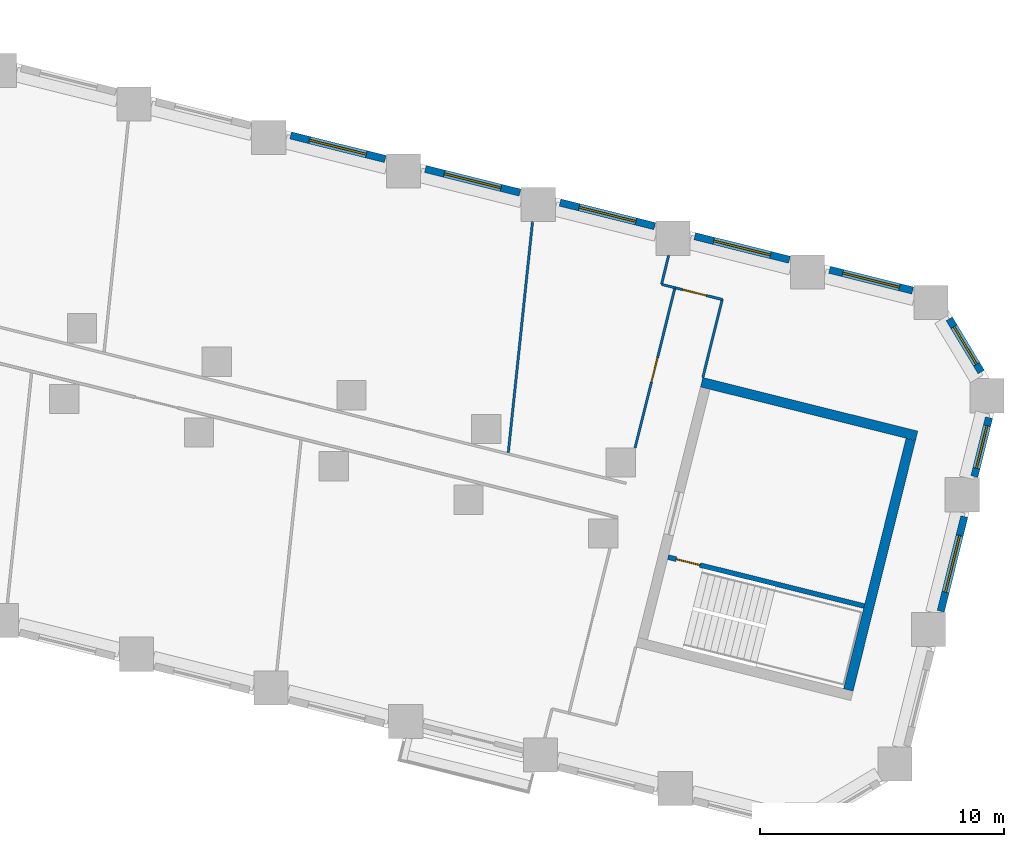
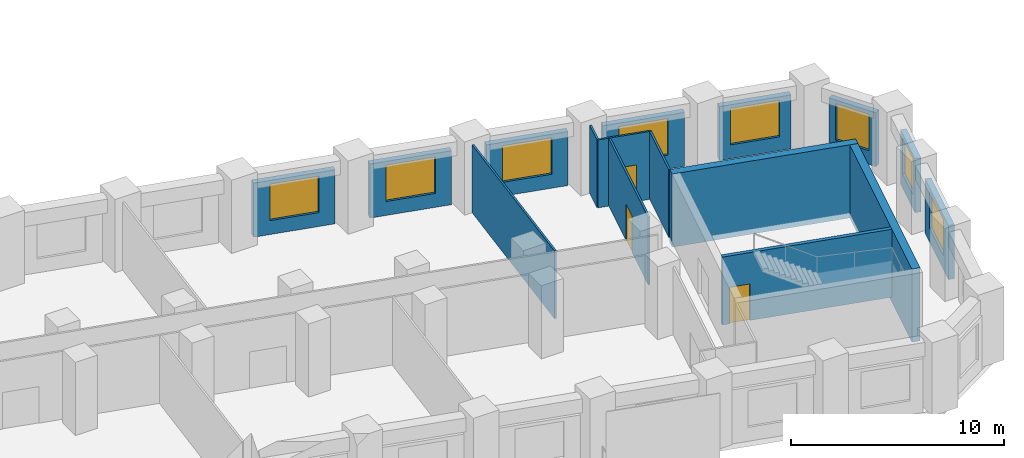
# One storey, part 7 of 11: 17 walls, 8 windows, 3 doors, 11 openings.
"""IFC4 building model written with IfcOpenShell, lengths in metres."""

from ifc_helpers import new_model, si_unit, direction, frame, frame_2d, origin, place, context, subcontext, project, spatial, rectangle, extrude, material, layer, layer_set, type_object, element, fill, save


model = new_model("IFC4")

# Units and contexts
model_context = context("Model", 3, precision=1e-05, world=origin(), true_north=direction((0.0, 1.0)))
body_context = subcontext(model_context, "Body", "Model", "MODEL_VIEW")
ifc_project = project(units=[si_unit("LENGTHUNIT", "METRE"), si_unit("AREAUNIT", "SQUARE_METRE"), si_unit("VOLUMEUNIT", "CUBIC_METRE"), si_unit("PLANEANGLEUNIT", "RADIAN"), si_unit("MASSUNIT", "GRAM", prefix="KILO")], contexts=[model_context])

# Site, building, storey
site_placement = place(None, origin())
site = spatial("IfcSite", under=ifc_project, at=site_placement, CompositionType="ELEMENT")
building_placement = place(site_placement, origin())
building = spatial("IfcBuilding", under=site, at=building_placement, Name="Meshkara Civic Tower", CompositionType="ELEMENT")
storey_placement = place(building_placement, frame((0.0, 0.0, 45.60009765625)))
storey = spatial("IfcBuildingStorey", under=building, at=storey_placement, Name="L09", CompositionType="ELEMENT", Elevation=45.60009765625)

# Wall, opening, door
ifc_material_1 = material(Name="Corridor wall 100")
ifc_layer_1 = layer(ifc_material_1, 0.10009765625)
ifc_layer_set_1 = layer_set([ifc_layer_1], Name="Corridor wall 100")
wall_type_1 = type_object("IfcWallType", Name="Corridor wall 100", PredefinedType="PARTITIONING", material=ifc_layer_set_1)
wall_1_placement = place(storey_placement, frame((77.677978515625, 1.656982421875, 0.0), z_axis=(0.0, 0.0, 1.0), x_axis=(-0.241865842949, -0.970309700052, 0.0)))
wall_1 = element("IfcWall", 1, at=wall_1_placement, inside=storey, type_object=wall_type_1, Name="L09-W028", PredefinedType="PARTITIONING", context=body_context, shape_type="SweptSolid", body=[
    extrude(rectangle(XDim=6.776123046875, YDim=0.10009765625, at=frame_2d((3.38818359375, 0.0))), origin(), (0.0, 0.0, 1.0), 3.89990234375),
])
opening_1_placement = place(wall_1_placement, frame((2.97998046875, 0.0, 0.0)))
opening_1 = element("IfcOpeningElement", 2, at=opening_1_placement, cuts=wall_1, Name="Opening L09-D007", PredefinedType="OPENING", context=body_context, shape_type="SweptSolid", body=[
    extrude(rectangle(XDim=1.0, YDim=2.10009765625, at=frame_2d((0.5, 1.050048828125))), frame((0.0, 0.06005859375, 0.0), z_axis=(0.0, -1.0, 0.0), x_axis=(1.0, 0.0, 0.0)), (0.0, 0.0, 1.0), 0.1201171875),
])
ifc_material_2 = material(Name="Door 1000 x 2100")
door_type_1 = type_object("IfcDoorType", Name="Door 1000 x 2100", OperationType="SINGLE_SWING_LEFT", PredefinedType="DOOR", material=ifc_material_2)
door_1_placement = place(opening_1_placement, origin())
door_1 = element("IfcDoor", 3, at=door_1_placement, inside=storey, type_object=door_type_1, Name="L09-D007", OperationType="SINGLE_SWING_LEFT", OverallHeight=2.10009765625, OverallWidth=1.0, PredefinedType="DOOR", context=body_context, shape_type="SweptSolid", body=[
    extrude(rectangle(XDim=1.0, YDim=2.10009765625, at=frame_2d((0.5, 1.050048828125))), frame((0.0, 0.02490234375, 0.0), z_axis=(0.0, -1.0, 0.0), x_axis=(1.0, 0.0, 0.0)), (0.0, 0.0, 1.0), 0.050048828125),
])
fill(opening_1, door_1)

# Wall
wall_2_placement = place(storey_placement, frame((78.821044921875, -2.029052734375, 0.0), z_axis=(0.0, 0.0, 1.0), x_axis=(0.241769629392, 0.970333677816, 0.0)))
element("IfcWall", 4, at=wall_2_placement, inside=storey, type_object=wall_type_1, Name="L09-W029", PredefinedType="PARTITIONING", context=body_context, shape_type="SweptSolid", body=[
    extrude(rectangle(XDim=3.300048828125, YDim=0.10009765625, at=frame_2d((1.64990234375, 0.0))), origin(), (0.0, 0.0, 1.0), 3.89990234375),
])

# Wall, opening, door
wall_3_placement = place(storey_placement, frame((79.618896484375, 1.173095703125, 0.0), z_axis=(0.0, 0.0, 1.0), x_axis=(-0.970300241929, 0.241903783585, 0.0)))
wall_3 = element("IfcWall", 5, at=wall_3_placement, inside=storey, type_object=wall_type_1, Name="L09-W030", PredefinedType="PARTITIONING", context=body_context, shape_type="SweptSolid", body=[
    extrude(rectangle(XDim=2.000244140625, YDim=0.10009765625, at=frame_2d((1.0, 0.0))), origin(), (0.0, 0.0, 1.0), 3.89990234375),
])
opening_2_placement = place(wall_3_placement, frame((0.679931640625, 0.0, 0.0)))
opening_2 = element("IfcOpeningElement", 6, at=opening_2_placement, cuts=wall_3, Name="Opening L09-D011", PredefinedType="OPENING", context=body_context, shape_type="SweptSolid", body=[
    extrude(rectangle(XDim=1.0, YDim=2.10009765625, at=frame_2d((0.5, 1.050048828125))), frame((0.0, 0.06005859375, 0.0), z_axis=(0.0, -1.0, 0.0), x_axis=(1.0, 0.0, 0.0)), (0.0, 0.0, 1.0), 0.1201171875),
])
door_2_placement = place(opening_2_placement, origin())
door_2 = element("IfcDoor", 7, at=door_2_placement, inside=storey, type_object=door_type_1, Name="L09-D011", OperationType="SINGLE_SWING_LEFT", OverallHeight=2.10009765625, OverallWidth=1.0, PredefinedType="DOOR", context=body_context, shape_type="SweptSolid", body=[
    extrude(rectangle(XDim=1.0, YDim=2.10009765625, at=frame_2d((0.5, 1.050048828125))), frame((0.0, 0.02490234375, 0.0), z_axis=(0.0, -1.0, 0.0), x_axis=(1.0, 0.0, 0.0)), (0.0, 0.0, 1.0), 0.050048828125),
])
fill(opening_2, door_2)

# Wall, opening, window
ifc_material_3 = material(Name="Insulated infill panel with bronze anodised aluminium cladding", Category="aluminium")
ifc_layer_2 = layer(ifc_material_3, 0.300048828125)
ifc_layer_set_2 = layer_set([ifc_layer_2], Name="EXTERNAL INFILL WALL 300")
wall_type_2 = type_object("IfcWallType", Name="EXTERNAL INFILL WALL 300", PredefinedType="SOLIDWALL", material=ifc_layer_set_2)
wall_4_placement = place(storey_placement, frame((87.43505859375, 1.54296875, 0.0), z_axis=(0.0, 0.0, 1.0), x_axis=(-0.970289298425, 0.241947674843, 0.0)))
wall_4 = element("IfcWall", 8, at=wall_4_placement, inside=storey, type_object=wall_type_2, Name="External wall", PredefinedType="SOLIDWALL", context=body_context, shape_type="SweptSolid", body=[
    extrude(rectangle(XDim=3.517578125, YDim=0.300048828125, at=frame_2d((1.7587890625, 0.0))), origin(), (0.0, 0.0, 1.0), 3.099853515625),
])
opening_3_placement = place(wall_4_placement, frame((0.55908203125, 0.0, 0.800048828125)))
opening_3 = element("IfcOpeningElement", 9, at=opening_3_placement, cuts=wall_4, Name="Opening W7", PredefinedType="OPENING", context=body_context, shape_type="SweptSolid", body=[
    extrude(rectangle(XDim=2.39990234375, YDim=2.10009765625, at=frame_2d((1.199951171875, 1.050048828125))), frame((0.0, 0.159912109375, 0.0), z_axis=(0.0, -1.0, 0.0), x_axis=(1.0, 0.0, 0.0)), (0.0, 0.0, 1.0), 0.320068359375),
])
ifc_material_4 = material(Name="Tinted double glazing", Category="glass")
window_type_1 = type_object("IfcWindowType", Name="WINDOW 2400x2100", PartitioningType="DOUBLE_PANEL_VERTICAL", PredefinedType="WINDOW", material=ifc_material_4)
window_1_placement = place(opening_3_placement, origin())
window_1 = element("IfcWindow", 10, at=window_1_placement, inside=storey, type_object=window_type_1, Name="Window", OverallHeight=2.10009765625, OverallWidth=2.39990234375, PartitioningType="DOUBLE_PANEL_VERTICAL", PredefinedType="WINDOW", context=body_context, shape_type="SweptSolid", body=[
    extrude(rectangle(XDim=2.39990234375, YDim=2.10009765625, at=frame_2d((1.199951171875, 1.050048828125))), frame((0.0, 0.030029296875, 0.0), z_axis=(0.0, -1.0, 0.0), x_axis=(1.0, 0.0, 0.0)), (0.0, 0.0, 1.0), 0.06005859375),
])
fill(opening_3, window_1)

wall_5_placement = place(storey_placement, frame((82.375, 2.804931640625, 0.0), z_axis=(0.0, 0.0, 1.0), x_axis=(-0.970318045095, 0.24183236211, 0.0)))
wall_5 = element("IfcWall", 11, at=wall_5_placement, inside=storey, type_object=wall_type_2, Name="External wall", PredefinedType="SOLIDWALL", context=body_context, shape_type="SweptSolid", body=[
    extrude(rectangle(XDim=4.0029296875, YDim=0.300048828125, at=frame_2d((2.00146484375, 0.0))), origin(), (0.0, 0.0, 1.0), 3.099853515625),
])
opening_4_placement = place(wall_5_placement, frame((0.802001953125, 0.0, 0.800048828125)))
opening_4 = element("IfcOpeningElement", 12, at=opening_4_placement, cuts=wall_5, Name="Opening W7", PredefinedType="OPENING", context=body_context, shape_type="SweptSolid", body=[
    extrude(rectangle(XDim=2.39990234375, YDim=2.10009765625, at=frame_2d((1.199951171875, 1.050048828125))), frame((0.0, 0.159912109375, 0.0), z_axis=(0.0, -1.0, 0.0), x_axis=(1.0, 0.0, 0.0)), (0.0, 0.0, 1.0), 0.320068359375),
])
window_2_placement = place(opening_4_placement, origin())
window_2 = element("IfcWindow", 13, at=window_2_placement, inside=storey, type_object=window_type_1, Name="Window", OverallHeight=2.10009765625, OverallWidth=2.39990234375, PartitioningType="DOUBLE_PANEL_VERTICAL", PredefinedType="WINDOW", context=body_context, shape_type="SweptSolid", body=[
    extrude(rectangle(XDim=2.39990234375, YDim=2.10009765625, at=frame_2d((1.199951171875, 1.050048828125))), frame((0.0, 0.030029296875, 0.0), z_axis=(0.0, -1.0, 0.0), x_axis=(1.0, 0.0, 0.0)), (0.0, 0.0, 1.0), 0.06005859375),
])
fill(opening_4, window_2)

wall_6_placement = place(storey_placement, frame((76.843994140625, 4.18408203125, 0.0), z_axis=(0.0, 0.0, 1.0), x_axis=(-0.970303772127, 0.241889623168, 0.0)))
wall_6 = element("IfcWall", 14, at=wall_6_placement, inside=storey, type_object=wall_type_2, Name="External wall", PredefinedType="SOLIDWALL", context=body_context, shape_type="SweptSolid", body=[
    extrude(rectangle(XDim=4.001953125, YDim=0.300048828125, at=frame_2d((2.0009765625, 0.0))), origin(), (0.0, 0.0, 1.0), 3.099853515625),
])
opening_5_placement = place(wall_6_placement, frame((0.801025390625, 0.0, 0.800048828125)))
opening_5 = element("IfcOpeningElement", 15, at=opening_5_placement, cuts=wall_6, Name="Opening W7", PredefinedType="OPENING", context=body_context, shape_type="SweptSolid", body=[
    extrude(rectangle(XDim=2.39990234375, YDim=2.10009765625, at=frame_2d((1.199951171875, 1.050048828125))), frame((0.0, 0.159912109375, 0.0), z_axis=(0.0, -1.0, 0.0), x_axis=(1.0, 0.0, 0.0)), (0.0, 0.0, 1.0), 0.320068359375),
])
window_3_placement = place(opening_5_placement, origin())
window_3 = element("IfcWindow", 16, at=window_3_placement, inside=storey, type_object=window_type_1, Name="Window", OverallHeight=2.10009765625, OverallWidth=2.39990234375, PartitioningType="DOUBLE_PANEL_VERTICAL", PredefinedType="WINDOW", context=body_context, shape_type="SweptSolid", body=[
    extrude(rectangle(XDim=2.39990234375, YDim=2.10009765625, at=frame_2d((1.199951171875, 1.050048828125))), frame((0.0, 0.030029296875, 0.0), z_axis=(0.0, -1.0, 0.0), x_axis=(1.0, 0.0, 0.0)), (0.0, 0.0, 1.0), 0.06005859375),
])
fill(opening_5, window_3)

wall_7_placement = place(storey_placement, frame((71.31396484375, 5.56298828125, 0.0), z_axis=(0.0, 0.0, 1.0), x_axis=(-0.970318045095, 0.24183236211, 0.0)))
wall_7 = element("IfcWall", 17, at=wall_7_placement, inside=storey, type_object=wall_type_2, Name="External wall", PredefinedType="SOLIDWALL", context=body_context, shape_type="SweptSolid", body=[
    extrude(rectangle(XDim=4.0029296875, YDim=0.300048828125, at=frame_2d((2.00146484375, 0.0))), origin(), (0.0, 0.0, 1.0), 3.099853515625),
])
opening_6_placement = place(wall_7_placement, frame((0.802001953125, 0.0, 0.800048828125)))
opening_6 = element("IfcOpeningElement", 18, at=opening_6_placement, cuts=wall_7, Name="Opening W7", PredefinedType="OPENING", context=body_context, shape_type="SweptSolid", body=[
    extrude(rectangle(XDim=2.39990234375, YDim=2.10009765625, at=frame_2d((1.199951171875, 1.050048828125))), frame((0.0, 0.159912109375, 0.0), z_axis=(0.0, -1.0, 0.0), x_axis=(1.0, 0.0, 0.0)), (0.0, 0.0, 1.0), 0.320068359375),
])
window_4_placement = place(opening_6_placement, origin())
window_4 = element("IfcWindow", 19, at=window_4_placement, inside=storey, type_object=window_type_1, Name="Window", OverallHeight=2.10009765625, OverallWidth=2.39990234375, PartitioningType="DOUBLE_PANEL_VERTICAL", PredefinedType="WINDOW", context=body_context, shape_type="SweptSolid", body=[
    extrude(rectangle(XDim=2.39990234375, YDim=2.10009765625, at=frame_2d((1.199951171875, 1.050048828125))), frame((0.0, 0.030029296875, 0.0), z_axis=(0.0, -1.0, 0.0), x_axis=(1.0, 0.0, 0.0)), (0.0, 0.0, 1.0), 0.06005859375),
])
fill(opening_6, window_4)

wall_8_placement = place(storey_placement, frame((65.782958984375, 6.94189453125, 0.0), z_axis=(0.0, 0.0, 1.0), x_axis=(-0.970318045095, 0.24183236211, 0.0)))
wall_8 = element("IfcWall", 20, at=wall_8_placement, inside=storey, type_object=wall_type_2, Name="External wall", PredefinedType="SOLIDWALL", context=body_context, shape_type="SweptSolid", body=[
    extrude(rectangle(XDim=4.0029296875, YDim=0.300048828125, at=frame_2d((2.00146484375, 0.0))), origin(), (0.0, 0.0, 1.0), 3.099853515625),
])
opening_7_placement = place(wall_8_placement, frame((0.802001953125, 0.0, 0.800048828125)))
opening_7 = element("IfcOpeningElement", 21, at=opening_7_placement, cuts=wall_8, Name="Opening W7", PredefinedType="OPENING", context=body_context, shape_type="SweptSolid", body=[
    extrude(rectangle(XDim=2.39990234375, YDim=2.10009765625, at=frame_2d((1.199951171875, 1.050048828125))), frame((0.0, 0.159912109375, 0.0), z_axis=(0.0, -1.0, 0.0), x_axis=(1.0, 0.0, 0.0)), (0.0, 0.0, 1.0), 0.320068359375),
])
window_5_placement = place(opening_7_placement, origin())
window_5 = element("IfcWindow", 22, at=window_5_placement, inside=storey, type_object=window_type_1, Name="Window", OverallHeight=2.10009765625, OverallWidth=2.39990234375, PartitioningType="DOUBLE_PANEL_VERTICAL", PredefinedType="WINDOW", context=body_context, shape_type="SweptSolid", body=[
    extrude(rectangle(XDim=2.39990234375, YDim=2.10009765625, at=frame_2d((1.199951171875, 1.050048828125))), frame((0.0, 0.030029296875, 0.0), z_axis=(0.0, -1.0, 0.0), x_axis=(1.0, 0.0, 0.0)), (0.0, 0.0, 1.0), 0.06005859375),
])
fill(opening_7, window_5)

wall_9_placement = place(storey_placement, frame((88.590087890625, -11.62109375, 0.0), z_axis=(0.0, 0.0, 1.0), x_axis=(0.241889623168, 0.970303772127, 0.0)))
wall_9 = element("IfcWall", 23, at=wall_9_placement, inside=storey, type_object=wall_type_2, Name="External wall", PredefinedType="SOLIDWALL", context=body_context, shape_type="SweptSolid", body=[
    extrude(rectangle(XDim=4.001953125, YDim=0.300048828125, at=frame_2d((2.0009765625, 0.0))), origin(), (0.0, 0.0, 1.0), 3.099853515625),
])
opening_8_placement = place(wall_9_placement, frame((0.801025390625, 0.0, 0.800048828125)))
opening_8 = element("IfcOpeningElement", 24, at=opening_8_placement, cuts=wall_9, Name="Opening W7", PredefinedType="OPENING", context=body_context, shape_type="SweptSolid", body=[
    extrude(rectangle(XDim=2.39990234375, YDim=2.10009765625, at=frame_2d((1.199951171875, 1.050048828125))), frame((0.0, 0.159912109375, 0.0), z_axis=(0.0, -1.0, 0.0), x_axis=(1.0, 0.0, 0.0)), (0.0, 0.0, 1.0), 0.320068359375),
])
window_6_placement = place(opening_8_placement, origin())
window_6 = element("IfcWindow", 25, at=window_6_placement, inside=storey, type_object=window_type_1, Name="Window", OverallHeight=2.10009765625, OverallWidth=2.39990234375, PartitioningType="DOUBLE_PANEL_VERTICAL", PredefinedType="WINDOW", context=body_context, shape_type="SweptSolid", body=[
    extrude(rectangle(XDim=2.39990234375, YDim=2.10009765625, at=frame_2d((1.199951171875, 1.050048828125))), frame((0.0, 0.030029296875, 0.0), z_axis=(0.0, -1.0, 0.0), x_axis=(1.0, 0.0, 0.0)), (0.0, 0.0, 1.0), 0.06005859375),
])
fill(opening_8, window_6)

wall_10_placement = place(storey_placement, frame((89.968994140625, -6.091064453125, 0.0), z_axis=(0.0, 0.0, 1.0), x_axis=(0.241797277733, 0.9703267885, 0.0)))
wall_10 = element("IfcWall", 26, at=wall_10_placement, inside=storey, type_object=wall_type_2, Name="External wall", PredefinedType="SOLIDWALL", context=body_context, shape_type="SweptSolid", body=[
    extrude(rectangle(XDim=2.489990234375, YDim=0.300048828125, at=frame_2d((1.2451171875, 0.0))), origin(), (0.0, 0.0, 1.0), 3.099853515625),
])
opening_9_placement = place(wall_10_placement, frame((0.344970703125, 0.0, 0.800048828125)))
opening_9 = element("IfcOpeningElement", 27, at=opening_9_placement, cuts=wall_10, Name="Opening W9", PredefinedType="OPENING", context=body_context, shape_type="SweptSolid", body=[
    extrude(rectangle(XDim=1.800048828125, YDim=2.10009765625, at=frame_2d((0.89990234375, 1.050048828125))), frame((0.0, 0.159912109375, 0.0), z_axis=(0.0, -1.0, 0.0), x_axis=(1.0, 0.0, 0.0)), (0.0, 0.0, 1.0), 0.320068359375),
])
ifc_material_5 = material(Name="Tinted double glazing", Category="glass")
window_type_2 = type_object("IfcWindowType", Name="WINDOW 1800x2100", PartitioningType="DOUBLE_PANEL_VERTICAL", PredefinedType="WINDOW", material=ifc_material_5)
window_7_placement = place(opening_9_placement, origin())
window_7 = element("IfcWindow", 28, at=window_7_placement, inside=storey, type_object=window_type_2, Name="Window", OverallHeight=2.10009765625, OverallWidth=1.800048828125, PartitioningType="DOUBLE_PANEL_VERTICAL", PredefinedType="WINDOW", context=body_context, shape_type="SweptSolid", body=[
    extrude(rectangle(XDim=1.800048828125, YDim=2.10009765625, at=frame_2d((0.89990234375, 1.050048828125))), frame((0.0, 0.030029296875, 0.0), z_axis=(0.0, -1.0, 0.0), x_axis=(1.0, 0.0, 0.0)), (0.0, 0.0, 1.0), 0.06005859375),
])
fill(opening_9, window_7)

wall_11_placement = place(storey_placement, frame((90.248046875, -1.801025390625, 0.0), z_axis=(0.0, 0.0, 1.0), x_axis=(-0.515441886055, 0.856924536992, 0.0)))
wall_11 = element("IfcWall", 29, at=wall_11_placement, inside=storey, type_object=wall_type_2, Name="External wall", PredefinedType="SOLIDWALL", context=body_context, shape_type="SweptSolid", body=[
    extrude(rectangle(XDim=2.54150390625, YDim=0.300048828125, at=frame_2d((1.270751953125, 0.0))), origin(), (0.0, 0.0, 1.0), 3.099853515625),
])
opening_10_placement = place(wall_11_placement, frame((0.37109375, 0.0, 0.800048828125)))
opening_10 = element("IfcOpeningElement", 30, at=opening_10_placement, cuts=wall_11, Name="Opening W9", PredefinedType="OPENING", context=body_context, shape_type="SweptSolid", body=[
    extrude(rectangle(XDim=1.800048828125, YDim=2.10009765625, at=frame_2d((0.89990234375, 1.050048828125))), frame((0.0, 0.159912109375, 0.0), z_axis=(0.0, -1.0, 0.0), x_axis=(1.0, 0.0, 0.0)), (0.0, 0.0, 1.0), 0.320068359375),
])
window_8_placement = place(opening_10_placement, origin())
window_8 = element("IfcWindow", 31, at=window_8_placement, inside=storey, type_object=window_type_2, Name="Window", OverallHeight=2.10009765625, OverallWidth=1.800048828125, PartitioningType="DOUBLE_PANEL_VERTICAL", PredefinedType="WINDOW", context=body_context, shape_type="SweptSolid", body=[
    extrude(rectangle(XDim=1.800048828125, YDim=2.10009765625, at=frame_2d((0.89990234375, 1.050048828125))), frame((0.0, 0.030029296875, 0.0), z_axis=(0.0, -1.0, 0.0), x_axis=(1.0, 0.0, 0.0)), (0.0, 0.0, 1.0), 0.06005859375),
])
fill(opening_10, window_8)

# Walls
ifc_material_6 = material(Name="Concrete C80", Category="concrete")
ifc_layer_3 = layer(ifc_material_6, 0.39990234375)
ifc_layer_set_3 = layer_set([ifc_layer_3], Name="End core ring wall 400 C80")
wall_type_3 = type_object("IfcWallType", Name="End core ring wall 400 C80", PredefinedType="SHEAR", material=ifc_layer_set_3)
wall_12_placement = place(storey_placement, frame((78.77197265625, -2.222900390625, -0.300048828125), z_axis=(0.0, 0.0, 1.0), x_axis=(0.970306400786, -0.241879078453, 0.0)))
element("IfcWall", 32, at=wall_12_placement, inside=storey, type_object=wall_type_3, Name="L09-C031", PredefinedType="SHEAR", context=body_context, shape_type="SweptSolid", body=[
    extrude(rectangle(XDim=9.100341796875, YDim=0.39990234375, at=frame_2d((4.55029296875, 0.0))), origin(), (0.0, 0.0, 1.0), 4.199951171875),
])
wall_13_placement = place(storey_placement, frame((84.794921875, -14.85498046875, -0.300048828125), z_axis=(0.0, 0.0, 1.0), x_axis=(0.241890652548, 0.970303515509, 0.0)))
element("IfcWall", 33, at=wall_13_placement, inside=storey, type_object=wall_type_3, Name="L09-C033", PredefinedType="SHEAR", context=body_context, shape_type="SweptSolid", body=[
    extrude(rectangle(XDim=10.599609375, YDim=0.39990234375, at=frame_2d((5.2998046875, 0.0))), origin(), (0.0, 0.0, 1.0), 4.199951171875),
])
ifc_material_7 = material(Name="Partition 100")
ifc_layer_4 = layer(ifc_material_7, 0.10009765625)
ifc_layer_set_4 = layer_set([ifc_layer_4], Name="Partition 100")
wall_type_4 = type_object("IfcWallType", Name="Partition 100", PredefinedType="PARTITIONING", material=ifc_layer_set_4)
wall_14_placement = place(storey_placement, frame((70.8349609375, -5.10888671875, 0.0), z_axis=(0.0, 0.0, 1.0), x_axis=(0.104452670861, 0.994529858551, 0.0)))
element("IfcWall", 34, at=wall_14_placement, inside=storey, type_object=wall_type_4, Name="L09-W052", PredefinedType="PARTITIONING", context=body_context, shape_type="SweptSolid", body=[
    extrude(rectangle(XDim=9.52685546875, YDim=0.10009765625, at=frame_2d((4.763427734375, 0.0))), origin(), (0.0, 0.0, 1.0), 3.89990234375),
])
wall_15_placement = place(storey_placement, frame((77.1240234375, 1.794921875, 0.0), z_axis=(0.0, 0.0, 1.0), x_axis=(0.241647114831, 0.970364195493, 0.0)))
element("IfcWall", 35, at=wall_15_placement, inside=storey, type_object=wall_type_4, Name="L09-W055", PredefinedType="PARTITIONING", context=body_context, shape_type="SweptSolid", body=[
    extrude(rectangle(XDim=1.228515625, YDim=0.10009765625, at=frame_2d((0.6142578125, 0.0))), origin(), (0.0, 0.0, 1.0), 3.89990234375),
])
wall_16_placement = place(storey_placement, frame((77.681884765625, 1.656005859375, 0.0), z_axis=(0.0, 0.0, 1.0), x_axis=(-0.97036690769, 0.241636223403, 0.0)))
element("IfcWall", 36, at=wall_16_placement, inside=storey, type_object=wall_type_4, Name="L09-W056", PredefinedType="PARTITIONING", context=body_context, shape_type="SweptSolid", body=[
    extrude(rectangle(XDim=0.574951171875, YDim=0.10009765625, at=frame_2d((0.28759765625, 0.0))), origin(), (0.0, 0.0, 1.0), 3.89990234375),
])

# Wall, opening, door
ifc_material_8 = material(Name="Concrete C40/50", Category="concrete")
ifc_layer_5 = layer(ifc_material_8, 0.199951171875)
ifc_layer_set_5 = layer_set([ifc_layer_5], Name="Stair enclosure wall 200 C40/50")
wall_type_5 = type_object("IfcWallType", Name="Stair enclosure wall 200 C40/50", PredefinedType="SOLIDWALL", material=ifc_layer_set_5)
wall_17_placement = place(storey_placement, frame((77.39404296875, -9.403076171875, 0.0), z_axis=(0.0, 0.0, 1.0), x_axis=(0.970303192681, -0.241891947516, 0.0)))
wall_17 = element("IfcWall", 37, at=wall_17_placement, inside=storey, type_object=wall_type_5, Name="L09-C034", PredefinedType="SOLIDWALL", context=body_context, shape_type="SweptSolid", body=[
    extrude(rectangle(XDim=8.300537109375, YDim=0.199951171875, at=frame_2d((4.150390625, 0.0))), origin(), (0.0, 0.0, 1.0), 3.89990234375),
])
opening_11_placement = place(wall_17_placement, frame((0.35009765625, 0.0, 0.0)))
opening_11 = element("IfcOpeningElement", 38, at=opening_11_placement, cuts=wall_17, Name="Opening L09-K201", PredefinedType="OPENING", context=body_context, shape_type="SweptSolid", body=[
    extrude(rectangle(XDim=1.0, YDim=2.10009765625, at=frame_2d((0.5, 1.050048828125))), frame((0.0, 0.10986328125, 0.0), z_axis=(0.0, -1.0, 0.0), x_axis=(1.0, 0.0, 0.0)), (0.0, 0.0, 1.0), 0.219970703125),
])
ifc_material_9 = material(Name="Fire-rated door leaf in steel frame", Category="steel")
door_type_2 = type_object("IfcDoorType", Name="Stair door 1000 EI 120", OperationType="SINGLE_SWING_LEFT", PredefinedType="DOOR", material=ifc_material_9)
door_3_placement = place(opening_11_placement, origin())
door_3 = element("IfcDoor", 39, at=door_3_placement, inside=storey, type_object=door_type_2, Name="L09-K201", OperationType="SINGLE_SWING_LEFT", OverallHeight=2.10009765625, OverallWidth=1.0, PredefinedType="DOOR", context=body_context, shape_type="SweptSolid", body=[
    extrude(rectangle(XDim=1.0, YDim=2.10009765625, at=frame_2d((0.5, 1.050048828125))), frame((0.0, 0.02490234375, 0.0), z_axis=(0.0, -1.0, 0.0), x_axis=(1.0, 0.0, 0.0)), (0.0, 0.0, 1.0), 0.050048828125),
])
fill(opening_11, door_3)

save(model, "model.ifc")
